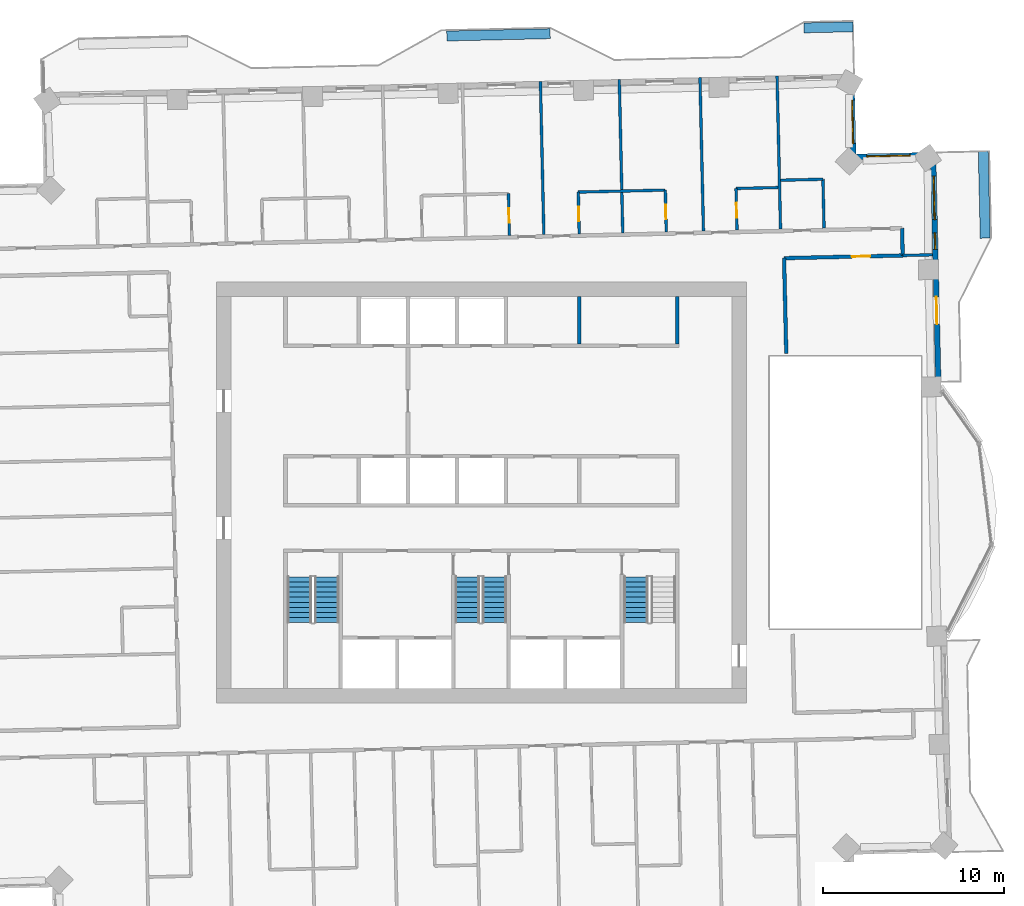
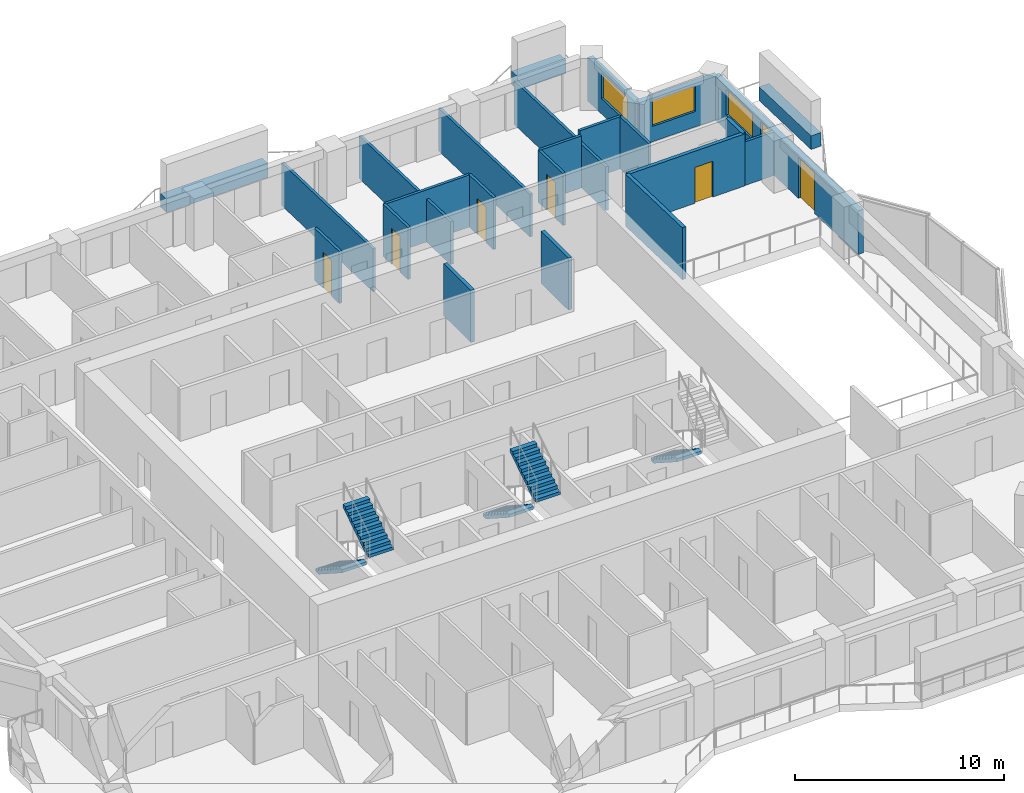
# One storey, part 12 of 17: 24 walls, 6 doors, 5 stair flights, 4 windows, 10 openings, 3 elements without a shape of their own.
"""IFC4 building model written with IfcOpenShell, lengths in metres."""

from ifc_helpers import new_model, si_unit, direction, frame, frame_2d, origin, place, context, subcontext, project, spatial, polyline, rectangle, outline, extrude, material, layer, layer_set, type_object, element, fill, aggregate, save


model = new_model("IFC4")

# Units and contexts
model_context = context("Model", 3, precision=1e-05, world=origin(), true_north=direction((0.0, 1.0)))
body_context = subcontext(model_context, "Body", "Model", "MODEL_VIEW")
ifc_project = project(units=[si_unit("LENGTHUNIT", "METRE"), si_unit("AREAUNIT", "SQUARE_METRE"), si_unit("VOLUMEUNIT", "CUBIC_METRE"), si_unit("PLANEANGLEUNIT", "RADIAN"), si_unit("MASSUNIT", "GRAM", prefix="KILO")], contexts=[model_context])

# Site, building, storey
site_placement = place(None, origin())
site = spatial("IfcSite", under=ifc_project, at=site_placement, CompositionType="ELEMENT")
building_placement = place(site_placement, origin())
building = spatial("IfcBuilding", under=site, at=building_placement, Name="Mangrove Gate Tower", CompositionType="ELEMENT")
storey_placement = place(building_placement, frame((0.0, 0.0, 234.699951171875)))
storey = spatial("IfcBuildingStorey", under=building, at=storey_placement, Name="L59", CompositionType="ELEMENT", Elevation=234.699951171875)

# Walls
ifc_material_1 = material(Name="Concrete C32/40", Category="concrete")
ifc_layer_1 = layer(ifc_material_1, 0.199951171875)
ifc_layer_set_1 = layer_set([ifc_layer_1], Name="Core room wall 200 C32/40")
wall_type_1 = type_object("IfcWallType", Name="Core room wall 200 C32/40", PredefinedType="STANDARD", material=ifc_layer_set_1)
for number, where, z_axis, x_axis, name in (
    (1, (5.39990234375, 8.199951171875, 0.0), (0.0, 0.0, 1.0), (0.0, 1.0, 0.0), "WALL-L59-CORE-31"),
    (2, (10.800048828125, 8.199951171875, 0.0), (0.0, 0.0, 1.0), (0.0, 1.0, 0.0), "WALL-L59-CORE-32"),
):
    element("IfcWall", number, at=place(storey_placement, frame(where, z_axis=z_axis, x_axis=x_axis)), inside=storey, type_object=wall_type_1, Name=name, PredefinedType="STANDARD", context=body_context, shape_type="SweptSolid", body=[
        extrude(rectangle(XDim=2.60009765625, YDim=0.199951171875, at=frame_2d((1.300048828125, 0.0))), origin(), (0.0, 0.0, 1.0), 3.050048828125),
    ])
ifc_material_2 = material(Name="Gypsum board on steel stud, EI 60", Category="steel")
ifc_layer_2 = layer(ifc_material_2, 0.199951171875)
ifc_layer_set_2 = layer_set([ifc_layer_2], Name="Corridor wall EI 60")
wall_type_2 = type_object("IfcWallType", Name="Corridor wall EI 60", PredefinedType="PARTITIONING", material=ifc_layer_set_2)
wall_1_placement = place(storey_placement, frame((16.802978515625, 7.675048828125, 0.0), z_axis=(0.0, 0.0, 1.0), x_axis=(-0.022667483124, 0.999743059595, 0.0)))
element("IfcWall", 3, at=wall_1_placement, inside=storey, type_object=wall_type_2, Name="WALL-L59-043", PredefinedType="PARTITIONING", context=body_context, shape_type="SweptSolid", body=[
    extrude(rectangle(XDim=5.245361328125, YDim=0.199951171875, at=frame_2d((2.62255859375, 0.0))), origin(), (0.0, 0.0, 1.0), 3.050048828125),
])

# Wall, opening, door
wall_2_placement = place(storey_placement, frame((16.678955078125, 12.91796875, 0.0), z_axis=(0.0, 0.0, 1.0), x_axis=(0.99974139269, 0.022740882632, 0.0)))
wall_2 = element("IfcWall", 4, at=wall_2_placement, inside=storey, type_object=wall_type_2, Name="WALL-L59-050", PredefinedType="PARTITIONING", context=body_context, shape_type="SweptSolid", body=[
    extrude(rectangle(XDim=6.548828125, YDim=0.199951171875, at=frame_2d((3.2744140625, 0.0))), origin(), (0.0, 0.0, 1.0), 3.050048828125),
])
opening_1_placement = place(wall_2_placement, frame((3.75, 0.0, 0.0)))
opening_1 = element("IfcOpeningElement", 5, at=opening_1_placement, cuts=wall_2, Name="Opening AD", PredefinedType="OPENING", context=body_context, shape_type="SweptSolid", body=[
    extrude(rectangle(XDim=1.0, YDim=2.10009765625, at=frame_2d((0.5, 1.050048828125))), frame((0.0, 0.10986328125, 0.0), z_axis=(0.0, -1.0, 0.0), x_axis=(1.0, 0.0, 0.0)), (0.0, 0.0, 1.0), 0.219970703125),
])
ifc_material_3 = material(Name="Timber door leaf", Category="wood")
door_type_1 = type_object("IfcDoorType", Name="Amenity door 1000", OperationType="SINGLE_SWING_LEFT", PredefinedType="DOOR", material=ifc_material_3)
door_1_placement = place(opening_1_placement, origin())
door_1 = element("IfcDoor", 6, at=door_1_placement, inside=storey, type_object=door_type_1, Name="DOOR-L59-LNG-c3a", OperationType="SINGLE_SWING_RIGHT", OverallHeight=2.10009765625, OverallWidth=1.0, PredefinedType="DOOR", context=body_context, shape_type="SweptSolid", body=[
    extrude(rectangle(XDim=1.0, YDim=2.10009765625, at=frame_2d((0.5, 1.050048828125))), frame((0.0, 0.02490234375, 0.0), z_axis=(0.0, -1.0, 0.0), x_axis=(1.0, 0.0, 0.0)), (0.0, 0.0, 1.0), 0.050048828125),
])
fill(opening_1, door_1)

# Wall
wall_3_placement = place(storey_placement, frame((23.222900390625, 13.06689453125, 0.0), z_axis=(0.0, 0.0, 1.0), x_axis=(-0.023268438023, 0.999729253244, 0.0)))
element("IfcWall", 7, at=wall_3_placement, inside=storey, type_object=wall_type_2, Name="WALL-L59-051", PredefinedType="PARTITIONING", context=body_context, shape_type="SweptSolid", body=[
    extrude(rectangle(XDim=1.50048828125, YDim=0.199951171875, at=frame_2d((0.750244140625, 0.0))), origin(), (0.0, 0.0, 1.0), 3.050048828125),
])

# Wall, openings, door, windows
ifc_material_4 = material(Name="Limestone", Category="masonry")
ifc_layer_3 = layer(ifc_material_4, 0.0400390625, Name="Limestone cladding")
ifc_material_5 = material(Name="Ventilated air gap")
ifc_layer_4 = layer(ifc_material_5, 0.0400390625, Name="Ventilated cavity")
ifc_material_6 = material(Name="Mineral wool insulation")
ifc_layer_5 = layer(ifc_material_6, 0.06005859375, Name="Insulation")
ifc_material_7 = material(Name="Breather membrane")
ifc_layer_6 = layer(ifc_material_7, 0.001953125, Name="Breather membrane")
ifc_material_8 = material(Name="Concrete C20/25 blockwork", Category="masonry")
ifc_layer_7 = layer(ifc_material_8, 0.14990234375, Name="Blockwork backing wall")
ifc_material_9 = material(Name="Gypsum plaster")
ifc_layer_8 = layer(ifc_material_9, 0.008056640625, Name="Internal plaster")
ifc_layer_set_3 = layer_set([ifc_layer_3, ifc_layer_4, ifc_layer_5, ifc_layer_6, ifc_layer_7, ifc_layer_8], Name="External wall 300 limestone cladding")
wall_type_3 = type_object("IfcWallType", Name="External wall 300 limestone cladding", PredefinedType="SOLIDWALL", material=ifc_layer_set_3)
wall_4_placement = place(storey_placement, frame((25.2041015625, 5.284912109375, 0.0), z_axis=(0.0, 0.0, 1.0), x_axis=(-0.022756783174, 0.999741030877, 0.0)))
wall_4 = element("IfcWall", 8, at=wall_4_placement, inside=storey, type_object=wall_type_3, Name="WALL-L59-E2s1", PredefinedType="SOLIDWALL", context=body_context, shape_type="SweptSolid", body=[
    extrude(rectangle(XDim=13.324462890625, YDim=0.300048828125, at=frame_2d((6.662109375, 0.0))), origin(), (0.0, 0.0, 1.0), 2.550048828125),
])
opening_2_placement = place(wall_4_placement, frame((3.9990234375, 0.0, 0.0)))
opening_2 = element("IfcOpeningElement", 9, at=opening_2_placement, cuts=wall_4, Name="Opening BD1", PredefinedType="OPENING", context=body_context, shape_type="SweptSolid", body=[
    extrude(rectangle(XDim=1.5, YDim=2.39990234375, at=frame_2d((0.75, 1.199951171875))), frame((0.0, 0.159912109375, 0.0), z_axis=(0.0, -1.0, 0.0), x_axis=(1.0, 0.0, 0.0)), (0.0, 0.0, 1.0), 0.320068359375),
])
opening_3_placement = place(wall_4_placement, frame((8.125, 0.0, 0.89990234375)))
opening_3 = element("IfcOpeningElement", 10, at=opening_3_placement, cuts=wall_4, Name="Opening W5", PredefinedType="OPENING", context=body_context, shape_type="SweptSolid", body=[
    extrude(rectangle(XDim=0.89990234375, YDim=1.5, at=frame_2d((0.449951171875, 0.75))), frame((0.0, 0.159912109375, 0.0), z_axis=(0.0, -1.0, 0.0), x_axis=(1.0, 0.0, 0.0)), (0.0, 0.0, 1.0), 0.320068359375),
])
opening_4_placement = place(wall_4_placement, frame((9.762939453125, 0.0, 0.89990234375)))
opening_4 = element("IfcOpeningElement", 11, at=opening_4_placement, cuts=wall_4, Name="Opening W2", PredefinedType="OPENING", context=body_context, shape_type="SweptSolid", body=[
    extrude(rectangle(XDim=2.39990234375, YDim=1.5, at=frame_2d((1.199951171875, 0.75))), frame((0.0, 0.159912109375, 0.0), z_axis=(0.0, -1.0, 0.0), x_axis=(1.0, 0.0, 0.0)), (0.0, 0.0, 1.0), 0.320068359375),
])
ifc_material_10 = material(Name="Aluminium frame with laminated clear glass", Category="aluminium")
door_type_2 = type_object("IfcDoorType", Name="Balcony sliding door 1500x2400", OperationType="SLIDING_TO_LEFT", PredefinedType="DOOR", material=ifc_material_10)
door_2_placement = place(opening_2_placement, origin())
door_2 = element("IfcDoor", 12, at=door_2_placement, inside=storey, type_object=door_type_2, Name="DOOR-L59-E2-1", OperationType="SLIDING_TO_LEFT", OverallHeight=2.39990234375, OverallWidth=1.5, PredefinedType="DOOR", context=body_context, shape_type="SweptSolid", body=[
    extrude(rectangle(XDim=1.5, YDim=2.39990234375, at=frame_2d((0.75, 1.199951171875))), frame((0.0, 0.02490234375, 0.0), z_axis=(0.0, -1.0, 0.0), x_axis=(1.0, 0.0, 0.0)), (0.0, 0.0, 1.0), 0.050048828125),
])
fill(opening_2, door_2)
ifc_material_11 = material(Name="Aluminium frame with double-glazed low-e glass", Category="aluminium")
window_type_1 = type_object("IfcWindowType", Name="Corner room window 2400x1500", PartitioningType="DOUBLE_PANEL_VERTICAL", PredefinedType="WINDOW", material=ifc_material_11)
window_1_placement = place(opening_4_placement, origin())
window_1 = element("IfcWindow", 13, at=window_1_placement, inside=storey, type_object=window_type_1, Name="WIN-L59-E2-3", OverallHeight=1.5, OverallWidth=2.39990234375, PartitioningType="DOUBLE_PANEL_VERTICAL", PredefinedType="WINDOW", context=body_context, shape_type="SweptSolid", body=[
    extrude(rectangle(XDim=2.39990234375, YDim=1.5, at=frame_2d((1.199951171875, 0.75))), frame((0.0, 0.030029296875, 0.0), z_axis=(0.0, -1.0, 0.0), x_axis=(1.0, 0.0, 0.0)), (0.0, 0.0, 1.0), 0.06005859375),
])
fill(opening_4, window_1)
ifc_material_12 = material(Name="Aluminium frame with double-glazed low-e glass", Category="aluminium")
window_type_2 = type_object("IfcWindowType", Name="Narrow window 900x1500", PartitioningType="SINGLE_PANEL", PredefinedType="WINDOW", material=ifc_material_12)
window_2_placement = place(opening_3_placement, origin())
window_2 = element("IfcWindow", 14, at=window_2_placement, inside=storey, type_object=window_type_2, Name="WIN-L59-E2-2", OverallHeight=1.5, OverallWidth=0.89990234375, PartitioningType="SINGLE_PANEL", PredefinedType="WINDOW", context=body_context, shape_type="SweptSolid", body=[
    extrude(rectangle(XDim=0.89990234375, YDim=1.5, at=frame_2d((0.449951171875, 0.75))), frame((0.0, 0.030029296875, 0.0), z_axis=(0.0, -1.0, 0.0), x_axis=(1.0, 0.0, 0.0)), (0.0, 0.0, 1.0), 0.06005859375),
])
fill(opening_3, window_2)

# Wall, opening, window
wall_5_placement = place(storey_placement, frame((24.90087890625, 18.60595703125, 0.0), z_axis=(0.0, 0.0, 1.0), x_axis=(-0.999747476176, -0.022471846368, 0.0)))
wall_5 = element("IfcWall", 15, at=wall_5_placement, inside=storey, type_object=wall_type_3, Name="WALL-L59-N3", PredefinedType="SOLIDWALL", context=body_context, shape_type="SweptSolid", body=[
    extrude(rectangle(XDim=4.400146484375, YDim=0.300048828125, at=frame_2d((2.2001953125, 0.0))), origin(), (0.0, 0.0, 1.0), 2.550048828125),
])
opening_5_placement = place(wall_5_placement, frame((1.264892578125, 0.0, 0.89990234375)))
opening_5 = element("IfcOpeningElement", 16, at=opening_5_placement, cuts=wall_5, Name="Opening W2", PredefinedType="OPENING", context=body_context, shape_type="SweptSolid", body=[
    extrude(rectangle(XDim=2.39990234375, YDim=1.5, at=frame_2d((1.199951171875, 0.75))), frame((0.0, 0.159912109375, 0.0), z_axis=(0.0, -1.0, 0.0), x_axis=(1.0, 0.0, 0.0)), (0.0, 0.0, 1.0), 0.320068359375),
])
window_3_placement = place(opening_5_placement, origin())
window_3 = element("IfcWindow", 17, at=window_3_placement, inside=storey, type_object=window_type_1, Name="WIN-L59-N3-1", OverallHeight=1.5, OverallWidth=2.39990234375, PartitioningType="DOUBLE_PANEL_VERTICAL", PredefinedType="WINDOW", context=body_context, shape_type="SweptSolid", body=[
    extrude(rectangle(XDim=2.39990234375, YDim=1.5, at=frame_2d((1.199951171875, 0.75))), frame((0.0, 0.030029296875, 0.0), z_axis=(0.0, -1.0, 0.0), x_axis=(1.0, 0.0, 0.0)), (0.0, 0.0, 1.0), 0.06005859375),
])
fill(opening_5, window_3)

wall_6_placement = place(storey_placement, frame((20.501953125, 18.507080078125, 0.0), z_axis=(0.0, 0.0, 1.0), x_axis=(-0.02247683371, 0.999747364061, 0.0)))
wall_6 = element("IfcWall", 18, at=wall_6_placement, inside=storey, type_object=wall_type_3, Name="WALL-L59-E4", PredefinedType="SOLIDWALL", context=body_context, shape_type="SweptSolid", body=[
    extrude(rectangle(XDim=4.399169921875, YDim=0.300048828125, at=frame_2d((2.19970703125, 0.0))), origin(), (0.0, 0.0, 1.0), 2.550048828125),
])
opening_6_placement = place(wall_6_placement, frame((0.73095703125, 0.0, 0.89990234375)))
opening_6 = element("IfcOpeningElement", 19, at=opening_6_placement, cuts=wall_6, Name="Opening W2", PredefinedType="OPENING", context=body_context, shape_type="SweptSolid", body=[
    extrude(rectangle(XDim=2.39990234375, YDim=1.5, at=frame_2d((1.199951171875, 0.75))), frame((0.0, 0.159912109375, 0.0), z_axis=(0.0, -1.0, 0.0), x_axis=(1.0, 0.0, 0.0)), (0.0, 0.0, 1.0), 0.320068359375),
])
window_4_placement = place(opening_6_placement, origin())
window_4 = element("IfcWindow", 20, at=window_4_placement, inside=storey, type_object=window_type_1, Name="WIN-L59-E4-1", OverallHeight=1.5, OverallWidth=2.39990234375, PartitioningType="DOUBLE_PANEL_VERTICAL", PredefinedType="WINDOW", context=body_context, shape_type="SweptSolid", body=[
    extrude(rectangle(XDim=2.39990234375, YDim=1.5, at=frame_2d((1.199951171875, 0.75))), frame((0.0, 0.030029296875, 0.0), z_axis=(0.0, -1.0, 0.0), x_axis=(1.0, 0.0, 0.0)), (0.0, 0.0, 1.0), 0.06005859375),
])
fill(opening_6, window_4)

# Wall
ifc_material_13 = material(Name="Gypsum board on steel stud, EI 60", Category="steel")
ifc_layer_9 = layer(ifc_material_13, 0.14990234375)
ifc_layer_set_4 = layer_set([ifc_layer_9], Name="Party wall 150 EI 60")
wall_type_4 = type_object("IfcWallType", Name="Party wall 150 EI 60", PredefinedType="PARTITIONING", material=ifc_layer_set_4)
wall_7_placement = place(storey_placement, frame((23.22607421875, 13.06689453125, 0.0), z_axis=(0.0, 0.0, 1.0), x_axis=(0.999747154012, 0.022486174521, 0.0)))
element("IfcWall", 21, at=wall_7_placement, inside=storey, type_object=wall_type_4, Name="WALL-L59-052", PredefinedType="PARTITIONING", context=body_context, shape_type="SweptSolid", body=[
    extrude(rectangle(XDim=1.650390625, YDim=0.14990234375, at=frame_2d((0.8251953125, 0.0))), origin(), (0.0, 0.0, 1.0), 2.550048828125),
])

# Wall, opening, door
wall_8_placement = place(storey_placement, frame((1.5419921875, 14.175048828125, 0.0), z_axis=(0.0, 0.0, 1.0), x_axis=(-0.022603288534, 0.999744513037, 0.0)))
wall_8 = element("IfcWall", 22, at=wall_8_placement, inside=storey, type_object=wall_type_4, Name="WALL-L59-064", PredefinedType="PARTITIONING", context=body_context, shape_type="SweptSolid", body=[
    extrude(rectangle(XDim=2.300537109375, YDim=0.14990234375, at=frame_2d((1.150390625, 0.0))), origin(), (0.0, 0.0, 1.0), 3.050048828125),
])
opening_7_placement = place(wall_8_placement, frame((0.699951171875, 0.0, 0.0)))
opening_7 = element("IfcOpeningElement", 23, at=opening_7_placement, cuts=wall_8, Name="Opening ED", PredefinedType="OPENING", context=body_context, shape_type="SweptSolid", body=[
    extrude(rectangle(XDim=0.800048828125, YDim=2.10009765625, at=frame_2d((0.39990234375, 1.050048828125))), frame((0.0, 0.0849609375, 0.0), z_axis=(0.0, -1.0, 0.0), x_axis=(1.0, 0.0, 0.0)), (0.0, 0.0, 1.0), 0.169921875),
])
ifc_material_14 = material(Name="Timber door leaf", Category="wood")
door_type_3 = type_object("IfcDoorType", Name="En-suite door 800", OperationType="SINGLE_SWING_LEFT", PredefinedType="DOOR", material=ifc_material_14)
door_3_placement = place(opening_7_placement, origin())
door_3 = element("IfcDoor", 24, at=door_3_placement, inside=storey, type_object=door_type_3, Name="DOOR-L59-ENS-c412", OperationType="SINGLE_SWING_RIGHT", OverallHeight=2.10009765625, OverallWidth=0.800048828125, PredefinedType="DOOR", context=body_context, shape_type="SweptSolid", body=[
    extrude(rectangle(XDim=0.800048828125, YDim=2.10009765625, at=frame_2d((0.39990234375, 1.050048828125))), frame((0.0, 0.02490234375, 0.0), z_axis=(0.0, -1.0, 0.0), x_axis=(1.0, 0.0, 0.0)), (0.0, 0.0, 1.0), 0.050048828125),
])
fill(opening_7, door_3)

# Wall
wall_9_placement = place(storey_placement, frame((3.44091796875, 14.218017578125, 0.0), z_axis=(0.0, 0.0, 1.0), x_axis=(-0.022593427839, 0.999744735929, 0.0)))
element("IfcWall", 25, at=wall_9_placement, inside=storey, type_object=wall_type_4, Name="WALL-L59-065", PredefinedType="PARTITIONING", context=body_context, shape_type="SweptSolid", body=[
    extrude(rectangle(XDim=8.4501953125, YDim=0.14990234375, at=frame_2d((4.22509765625, 0.0))), origin(), (0.0, 0.0, 1.0), 2.5),
])

# Wall, opening, door
wall_10_placement = place(storey_placement, frame((5.39111328125, 14.262939453125, 0.0), z_axis=(0.0, 0.0, 1.0), x_axis=(-0.022612884682, 0.999744296031, 0.0)))
wall_10 = element("IfcWall", 26, at=wall_10_placement, inside=storey, type_object=wall_type_4, Name="WALL-L59-066", PredefinedType="PARTITIONING", context=body_context, shape_type="SweptSolid", body=[
    extrude(rectangle(XDim=2.299560546875, YDim=0.14990234375, at=frame_2d((1.14990234375, 0.0))), origin(), (0.0, 0.0, 1.0), 3.050048828125),
])
opening_8_placement = place(wall_10_placement, frame((0.699951171875, 0.0, 0.0)))
opening_8 = element("IfcOpeningElement", 27, at=opening_8_placement, cuts=wall_10, Name="Opening ED", PredefinedType="OPENING", context=body_context, shape_type="SweptSolid", body=[
    extrude(rectangle(XDim=0.800048828125, YDim=2.10009765625, at=frame_2d((0.39990234375, 1.050048828125))), frame((0.0, 0.0849609375, 0.0), z_axis=(0.0, -1.0, 0.0), x_axis=(1.0, 0.0, 0.0)), (0.0, 0.0, 1.0), 0.169921875),
])
door_4_placement = place(opening_8_placement, origin())
door_4 = element("IfcDoor", 28, at=door_4_placement, inside=storey, type_object=door_type_3, Name="DOOR-L59-ENS-c411", OperationType="SINGLE_SWING_LEFT", OverallHeight=2.10009765625, OverallWidth=0.800048828125, PredefinedType="DOOR", context=body_context, shape_type="SweptSolid", body=[
    extrude(rectangle(XDim=0.800048828125, YDim=2.10009765625, at=frame_2d((0.39990234375, 1.050048828125))), frame((0.0, 0.02490234375, 0.0), z_axis=(0.0, -1.0, 0.0), x_axis=(1.0, 0.0, 0.0)), (0.0, 0.0, 1.0), 0.050048828125),
])
fill(opening_8, door_4)

# Wall
wall_11_placement = place(storey_placement, frame((7.7900390625, 14.31689453125, 0.0), z_axis=(0.0, 0.0, 1.0), x_axis=(-0.022737812646, 0.999741462517, 0.0)))
element("IfcWall", 29, at=wall_11_placement, inside=storey, type_object=wall_type_4, Name="WALL-L59-067", PredefinedType="PARTITIONING", context=body_context, shape_type="SweptSolid", body=[
    extrude(rectangle(XDim=8.4501953125, YDim=0.14990234375, at=frame_2d((4.22509765625, 0.0))), origin(), (0.0, 0.0, 1.0), 2.5),
])

# Wall, opening, door
wall_12_placement = place(storey_placement, frame((10.18994140625, 14.3720703125, 0.0), z_axis=(0.0, 0.0, 1.0), x_axis=(-0.023039761813, 0.999734549456, 0.0)))
wall_12 = element("IfcWall", 30, at=wall_12_placement, inside=storey, type_object=wall_type_4, Name="WALL-L59-068", PredefinedType="PARTITIONING", context=body_context, shape_type="SweptSolid", body=[
    extrude(rectangle(XDim=2.299560546875, YDim=0.14990234375, at=frame_2d((1.14990234375, 0.0))), origin(), (0.0, 0.0, 1.0), 3.050048828125),
])
opening_9_placement = place(wall_12_placement, frame((0.699951171875, 0.0, 0.0)))
opening_9 = element("IfcOpeningElement", 31, at=opening_9_placement, cuts=wall_12, Name="Opening ED", PredefinedType="OPENING", context=body_context, shape_type="SweptSolid", body=[
    extrude(rectangle(XDim=0.800048828125, YDim=2.10009765625, at=frame_2d((0.39990234375, 1.050048828125))), frame((0.0, 0.0849609375, 0.0), z_axis=(0.0, -1.0, 0.0), x_axis=(1.0, 0.0, 0.0)), (0.0, 0.0, 1.0), 0.169921875),
])
door_5_placement = place(opening_9_placement, origin())
door_5 = element("IfcDoor", 32, at=door_5_placement, inside=storey, type_object=door_type_3, Name="DOOR-L59-ENS-c310", OperationType="SINGLE_SWING_RIGHT", OverallHeight=2.10009765625, OverallWidth=0.800048828125, PredefinedType="DOOR", context=body_context, shape_type="SweptSolid", body=[
    extrude(rectangle(XDim=0.800048828125, YDim=2.10009765625, at=frame_2d((0.39990234375, 1.050048828125))), frame((0.0, 0.02490234375, 0.0), z_axis=(0.0, -1.0, 0.0), x_axis=(1.0, 0.0, 0.0)), (0.0, 0.0, 1.0), 0.050048828125),
])
fill(opening_9, door_5)

# Wall
wall_13_placement = place(storey_placement, frame((12.239013671875, 14.41796875, 0.0), z_axis=(0.0, 0.0, 1.0), x_axis=(-0.022708935798, 0.999742118866, 0.0)))
element("IfcWall", 33, at=wall_13_placement, inside=storey, type_object=wall_type_4, Name="WALL-L59-069", PredefinedType="PARTITIONING", context=body_context, shape_type="SweptSolid", body=[
    extrude(rectangle(XDim=8.4501953125, YDim=0.14990234375, at=frame_2d((4.22509765625, 0.0))), origin(), (0.0, 0.0, 1.0), 2.5),
])

# Wall, opening, door
wall_14_placement = place(storey_placement, frame((14.089111328125, 14.4599609375, 0.0), z_axis=(0.0, 0.0, 1.0), x_axis=(-0.023143422514, 0.999732155127, 0.0)))
wall_14 = element("IfcWall", 34, at=wall_14_placement, inside=storey, type_object=wall_type_4, Name="WALL-L59-070", PredefinedType="PARTITIONING", context=body_context, shape_type="SweptSolid", body=[
    extrude(rectangle(XDim=2.2998046875, YDim=0.14990234375, at=frame_2d((1.14990234375, 0.0))), origin(), (0.0, 0.0, 1.0), 3.050048828125),
])
opening_10_placement = place(wall_14_placement, frame((0.699951171875, 0.0, 0.0)))
opening_10 = element("IfcOpeningElement", 35, at=opening_10_placement, cuts=wall_14, Name="Opening ED", PredefinedType="OPENING", context=body_context, shape_type="SweptSolid", body=[
    extrude(rectangle(XDim=0.800048828125, YDim=2.10009765625, at=frame_2d((0.39990234375, 1.050048828125))), frame((0.0, 0.0849609375, 0.0), z_axis=(0.0, -1.0, 0.0), x_axis=(1.0, 0.0, 0.0)), (0.0, 0.0, 1.0), 0.169921875),
])
door_6_placement = place(opening_10_placement, origin())
door_6 = element("IfcDoor", 36, at=door_6_placement, inside=storey, type_object=door_type_3, Name="DOOR-L59-ENS-c309", OperationType="SINGLE_SWING_LEFT", OverallHeight=2.10009765625, OverallWidth=0.800048828125, PredefinedType="DOOR", context=body_context, shape_type="SweptSolid", body=[
    extrude(rectangle(XDim=0.800048828125, YDim=2.10009765625, at=frame_2d((0.39990234375, 1.050048828125))), frame((0.0, 0.02490234375, 0.0), z_axis=(0.0, -1.0, 0.0), x_axis=(1.0, 0.0, 0.0)), (0.0, 0.0, 1.0), 0.050048828125),
])
fill(opening_10, door_6)

# Walls
wall_15_placement = place(storey_placement, frame((16.488037109375, 14.514892578125, 0.0), z_axis=(0.0, 0.0, 1.0), x_axis=(-0.022740440012, 0.999741402758, 0.0)))
element("IfcWall", 37, at=wall_15_placement, inside=storey, type_object=wall_type_4, Name="WALL-L59-071", PredefinedType="PARTITIONING", context=body_context, shape_type="SweptSolid", body=[
    extrude(rectangle(XDim=8.44921875, YDim=0.14990234375, at=frame_2d((4.224609375, 0.0))), origin(), (0.0, 0.0, 1.0), 2.550048828125),
])
wall_16_placement = place(storey_placement, frame((18.886962890625, 14.569091796875, 0.0), z_axis=(0.0, 0.0, 1.0), x_axis=(-0.02260842146, 0.999744396973, 0.0)))
element("IfcWall", 38, at=wall_16_placement, inside=storey, type_object=wall_type_4, Name="WALL-L59-072", PredefinedType="PARTITIONING", context=body_context, shape_type="SweptSolid", body=[
    extrude(rectangle(XDim=2.69970703125, YDim=0.14990234375, at=frame_2d((1.349853515625, 0.0))), origin(), (0.0, 0.0, 1.0), 3.050048828125),
])
wall_17_placement = place(storey_placement, frame((5.3349609375, 16.56201171875, 0.0), z_axis=(0.0, 0.0, 1.0), x_axis=(0.999742596585, 0.02268789488, 0.0)))
element("IfcWall", 39, at=wall_17_placement, inside=storey, type_object=wall_type_4, Name="WALL-L59-076", PredefinedType="PARTITIONING", context=body_context, shape_type="SweptSolid", body=[
    extrude(rectangle(XDim=4.79931640625, YDim=0.14990234375, at=frame_2d((2.399658203125, 0.0))), origin(), (0.0, 0.0, 1.0), 3.050048828125),
])
wall_18_placement = place(storey_placement, frame((14.031982421875, 16.759033203125, 0.0), z_axis=(0.0, 0.0, 1.0), x_axis=(0.999740478815, 0.022781023197, 0.0)))
element("IfcWall", 40, at=wall_18_placement, inside=storey, type_object=wall_type_4, Name="WALL-L59-077", PredefinedType="PARTITIONING", context=body_context, shape_type="SweptSolid", body=[
    extrude(rectangle(XDim=2.325439453125, YDim=0.14990234375, at=frame_2d((1.16259765625, 0.0))), origin(), (0.0, 0.0, 1.0), 3.050048828125),
])
wall_19_placement = place(storey_placement, frame((16.498046875, 17.215087890625, 0.0), z_axis=(0.0, 0.0, 1.0), x_axis=(0.999740260747, 0.02279059109, 0.0)))
element("IfcWall", 41, at=wall_19_placement, inside=storey, type_object=wall_type_4, Name="WALL-L59-079", PredefinedType="PARTITIONING", context=body_context, shape_type="SweptSolid", body=[
    extrude(rectangle(XDim=2.324462890625, YDim=0.14990234375, at=frame_2d((1.162109375, 0.0))), origin(), (0.0, 0.0, 1.0), 3.050048828125),
])
ifc_material_15 = material(Name="Concrete C32/40", Category="concrete")
ifc_layer_10 = layer(ifc_material_15, 0.199951171875, Name="Planter trough wall")
ifc_material_16 = material(Name="Bituminous waterproofing membrane")
ifc_layer_11 = layer(ifc_material_16, 0.0048828125, Name="Waterproofing")
ifc_material_17 = material(Name="Drainage board and gravel")
ifc_layer_12 = layer(ifc_material_17, 0.044921875, Name="Drainage layer")
ifc_material_18 = material(Name="Planting soil")
ifc_layer_13 = layer(ifc_material_18, 0.300048828125, Name="Growing medium")
ifc_layer_set_5 = layer_set([ifc_layer_10, ifc_layer_11, ifc_layer_12, ifc_layer_13], Name="Planter wall 550 C32/40")
wall_type_5 = type_object("IfcWallType", Name="Planter wall 550 C32/40", PredefinedType="USERDEFINED", material=ifc_layer_set_5)
wall_20_placement = place(storey_placement, frame((27.77099609375, 14.02099609375, 0.0), z_axis=(0.0, 0.0, 1.0), x_axis=(-0.02268789488, 0.999742596585, 0.0)))
element("IfcWall", 42, at=wall_20_placement, inside=storey, type_object=wall_type_5, Name="PLANTER L59 E1.1", ObjectType="PLANTER", PredefinedType="USERDEFINED", context=body_context, shape_type="SweptSolid", body=[
    extrude(rectangle(XDim=4.79931640625, YDim=0.550048828125, at=frame_2d((2.399658203125, 0.0))), origin(), (0.0, 0.0, 1.0), 0.800048828125),
])
wall_21_placement = place(storey_placement, frame((-1.908935546875, 25.1650390625, 0.0), z_axis=(0.0, 0.0, 1.0), x_axis=(0.999744284001, 0.022613416525, 0.0)))
element("IfcWall", 43, at=wall_21_placement, inside=storey, type_object=wall_type_5, Name="PLANTER L59 N0.1", ObjectType="PLANTER", PredefinedType="USERDEFINED", context=body_context, shape_type="SweptSolid", body=[
    extrude(rectangle(XDim=5.700439453125, YDim=0.550048828125, at=frame_2d((2.85009765625, 0.0))), origin(), (0.0, 0.0, 1.0), 0.800048828125),
])
wall_22_placement = place(storey_placement, frame((17.785888671875, 25.612060546875, 0.0), z_axis=(0.0, 0.0, 1.0), x_axis=(0.999745364927, 0.022565577937, 0.0)))
element("IfcWall", 44, at=wall_22_placement, inside=storey, type_object=wall_type_5, Name="PLANTER L59 N0.2", ObjectType="PLANTER", PredefinedType="USERDEFINED", context=body_context, shape_type="SweptSolid", body=[
    extrude(rectangle(XDim=2.704833984375, YDim=0.550048828125, at=frame_2d((1.3525390625, 0.0))), origin(), (0.0, 0.0, 1.0), 0.800048828125),
])

# Stair, stair flights
ifc_material_19 = material(Name="Concrete C40/50", Category="concrete")
stair_type = type_object("IfcStairType", Name="Core stair 1350", PredefinedType="HALF_TURN_STAIR", material=ifc_material_19)
stair_1_placement = place(storey_placement, origin())
stair_1 = element("IfcStair", 45, at=stair_1_placement, inside=storey, type_object=stair_type, Name="L59 Stair 1", PredefinedType="HALF_TURN_STAIR")
ifc_material_20 = material(Name="Concrete C40/50", Category="concrete")
stair_flight_type = type_object("IfcStairFlightType", Name="Core stair flight 1350", PredefinedType="STRAIGHT", material=ifc_material_20)
stair_flight_1_placement = place(storey_placement, frame((-10.02490234375, -4.64990234375, 0.0), z_axis=(0.0, 0.0, 1.0), x_axis=(0.0, -1.0, 0.0)))
stair_flight_1 = element("IfcStairFlight", 46, at=stair_flight_1_placement, type_object=stair_flight_type, Name="ST1 flight 1", NumberOfRisers=10, NumberOfTreads=9, PredefinedType="STRAIGHT", RiserHeight=0.18, TreadLength=0.28, context=body_context, shape_type="SweptSolid", body=[
    extrude(outline(polyline([(0.0, 0.0), (0.0, 0.179931640625), (0.280029296875, 0.179931640625), (0.280029296875, 0.360107421875), (0.56005859375, 0.360107421875), (0.56005859375, 0.5400390625), (0.840087890625, 0.5400390625), (0.840087890625, 0.719970703125), (1.1201171875, 0.719970703125), (1.1201171875, 0.89990234375), (1.39990234375, 0.89990234375), (1.39990234375, 1.080078125), (1.679931640625, 1.080078125), (1.679931640625, 1.260009765625), (1.9599609375, 1.260009765625), (1.9599609375, 1.43994140625), (2.239990234375, 1.43994140625), (2.239990234375, 1.6201171875), (2.52001953125, 1.6201171875), (2.52001953125, 1.800048828125), (2.52001953125, 1.44189453125), (0.277099609375, 0.0), (0.0, 0.0)])), frame((0.0, 0.675048828125, 0.0), z_axis=(0.0, -1.0, 0.0), x_axis=(1.0, 0.0, 0.0)), (0.0, 0.0, 1.0), 1.35009765625),
])
stair_flight_2_placement = place(storey_placement, frame((-8.52490234375, -7.169921875, 1.800048828125), z_axis=(0.0, 0.0, 1.0), x_axis=(0.0, 1.0, 0.0)))
stair_flight_2 = element("IfcStairFlight", 47, at=stair_flight_2_placement, type_object=stair_flight_type, Name="ST1 flight 2", NumberOfRisers=10, NumberOfTreads=9, PredefinedType="STRAIGHT", RiserHeight=0.18, TreadLength=0.28, context=body_context, shape_type="SweptSolid", body=[
    extrude(outline(polyline([(0.0, 0.0), (0.0, 0.179931640625), (0.280029296875, 0.179931640625), (0.280029296875, 0.360107421875), (0.56005859375, 0.360107421875), (0.56005859375, 0.5400390625), (0.840087890625, 0.5400390625), (0.840087890625, 0.719970703125), (1.1201171875, 0.719970703125), (1.1201171875, 0.89990234375), (1.39990234375, 0.89990234375), (1.39990234375, 1.080078125), (1.679931640625, 1.080078125), (1.679931640625, 1.260009765625), (1.9599609375, 1.260009765625), (1.9599609375, 1.43994140625), (2.239990234375, 1.43994140625), (2.239990234375, 1.6201171875), (2.52001953125, 1.6201171875), (2.52001953125, 1.800048828125), (2.52001953125, 1.44189453125), (0.277099609375, 0.0), (0.0, 0.0)])), frame((0.0, 0.675048828125, 0.0), z_axis=(0.0, -1.0, 0.0), x_axis=(1.0, 0.0, 0.0)), (0.0, 0.0, 1.0), 1.35009765625),
])
aggregate(stair_1, [stair_flight_1, stair_flight_2])

stair_2_placement = place(storey_placement, origin())
stair_2 = element("IfcStair", 48, at=stair_2_placement, inside=storey, type_object=stair_type, Name="L59 Stair 2", PredefinedType="HALF_TURN_STAIR")
stair_flight_3_placement = place(storey_placement, frame((-0.77490234375, -4.64990234375, 0.0), z_axis=(0.0, 0.0, 1.0), x_axis=(0.0, -1.0, 0.0)))
stair_flight_3 = element("IfcStairFlight", 49, at=stair_flight_3_placement, type_object=stair_flight_type, Name="ST2 flight 1", NumberOfRisers=10, NumberOfTreads=9, PredefinedType="STRAIGHT", RiserHeight=0.18, TreadLength=0.28, context=body_context, shape_type="SweptSolid", body=[
    extrude(outline(polyline([(0.0, 0.0), (0.0, 0.179931640625), (0.280029296875, 0.179931640625), (0.280029296875, 0.360107421875), (0.56005859375, 0.360107421875), (0.56005859375, 0.5400390625), (0.840087890625, 0.5400390625), (0.840087890625, 0.719970703125), (1.1201171875, 0.719970703125), (1.1201171875, 0.89990234375), (1.39990234375, 0.89990234375), (1.39990234375, 1.080078125), (1.679931640625, 1.080078125), (1.679931640625, 1.260009765625), (1.9599609375, 1.260009765625), (1.9599609375, 1.43994140625), (2.239990234375, 1.43994140625), (2.239990234375, 1.6201171875), (2.52001953125, 1.6201171875), (2.52001953125, 1.800048828125), (2.52001953125, 1.44189453125), (0.277099609375, 0.0), (0.0, 0.0)])), frame((0.0, 0.675048828125, 0.0), z_axis=(0.0, -1.0, 0.0), x_axis=(1.0, 0.0, 0.0)), (0.0, 0.0, 1.0), 1.35009765625),
])
stair_flight_4_placement = place(storey_placement, frame((0.72509765625, -7.169921875, 1.800048828125), z_axis=(0.0, 0.0, 1.0), x_axis=(0.0, 1.0, 0.0)))
stair_flight_4 = element("IfcStairFlight", 50, at=stair_flight_4_placement, type_object=stair_flight_type, Name="ST2 flight 2", NumberOfRisers=10, NumberOfTreads=9, PredefinedType="STRAIGHT", RiserHeight=0.18, TreadLength=0.28, context=body_context, shape_type="SweptSolid", body=[
    extrude(outline(polyline([(0.0, 0.0), (0.0, 0.179931640625), (0.280029296875, 0.179931640625), (0.280029296875, 0.360107421875), (0.56005859375, 0.360107421875), (0.56005859375, 0.5400390625), (0.840087890625, 0.5400390625), (0.840087890625, 0.719970703125), (1.1201171875, 0.719970703125), (1.1201171875, 0.89990234375), (1.39990234375, 0.89990234375), (1.39990234375, 1.080078125), (1.679931640625, 1.080078125), (1.679931640625, 1.260009765625), (1.9599609375, 1.260009765625), (1.9599609375, 1.43994140625), (2.239990234375, 1.43994140625), (2.239990234375, 1.6201171875), (2.52001953125, 1.6201171875), (2.52001953125, 1.800048828125), (2.52001953125, 1.44189453125), (0.277099609375, 0.0), (0.0, 0.0)])), frame((0.0, 0.675048828125, 0.0), z_axis=(0.0, -1.0, 0.0), x_axis=(1.0, 0.0, 0.0)), (0.0, 0.0, 1.0), 1.35009765625),
])
aggregate(stair_2, [stair_flight_3, stair_flight_4])

# Stair, stair flight
stair_3_placement = place(storey_placement, origin())
stair_3 = element("IfcStair", 51, at=stair_3_placement, inside=storey, type_object=stair_type, Name="L59 Stair 3", PredefinedType="HALF_TURN_STAIR")
stair_flight_5_placement = place(storey_placement, frame((8.52490234375, -4.64990234375, 0.0), z_axis=(0.0, 0.0, 1.0), x_axis=(0.0, -1.0, 0.0)))
stair_flight_5 = element("IfcStairFlight", 52, at=stair_flight_5_placement, type_object=stair_flight_type, Name="ST3 flight 1", NumberOfRisers=10, NumberOfTreads=9, PredefinedType="STRAIGHT", RiserHeight=0.18, TreadLength=0.28, context=body_context, shape_type="SweptSolid", body=[
    extrude(outline(polyline([(0.0, 0.0), (0.0, 0.179931640625), (0.280029296875, 0.179931640625), (0.280029296875, 0.360107421875), (0.56005859375, 0.360107421875), (0.56005859375, 0.5400390625), (0.840087890625, 0.5400390625), (0.840087890625, 0.719970703125), (1.1201171875, 0.719970703125), (1.1201171875, 0.89990234375), (1.39990234375, 0.89990234375), (1.39990234375, 1.080078125), (1.679931640625, 1.080078125), (1.679931640625, 1.260009765625), (1.9599609375, 1.260009765625), (1.9599609375, 1.43994140625), (2.239990234375, 1.43994140625), (2.239990234375, 1.6201171875), (2.52001953125, 1.6201171875), (2.52001953125, 1.800048828125), (2.52001953125, 1.44189453125), (0.277099609375, 0.0), (0.0, 0.0)])), frame((0.0, 0.675048828125, 0.0), z_axis=(0.0, -1.0, 0.0), x_axis=(1.0, 0.0, 0.0)), (0.0, 0.0, 1.0), 1.35009765625),
])
aggregate(stair_3, [stair_flight_5])

save(model, "model.ifc")
